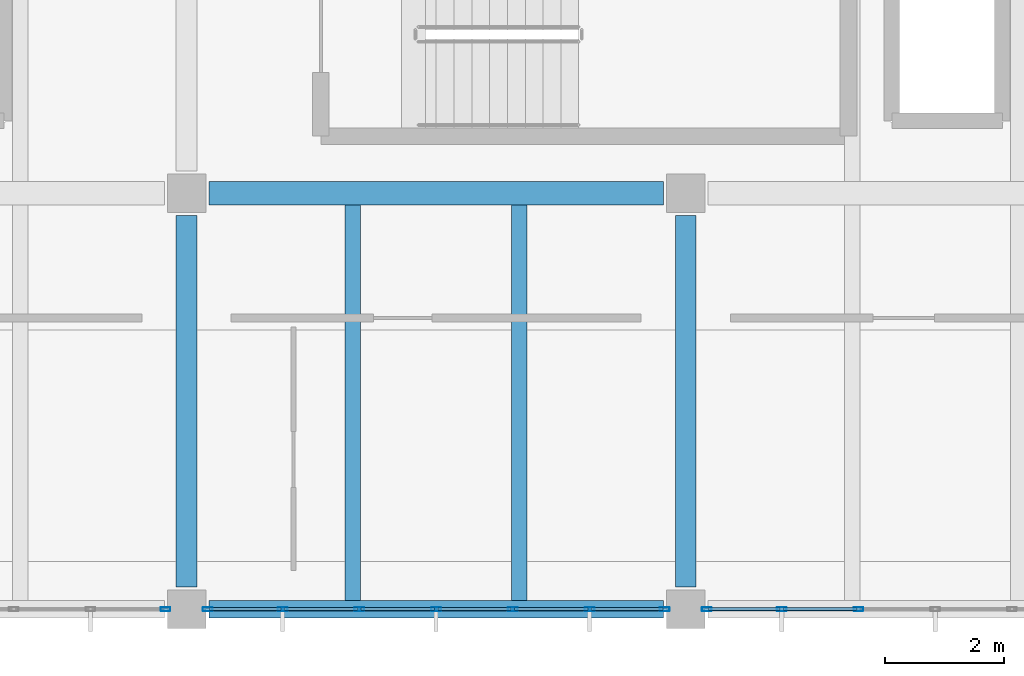
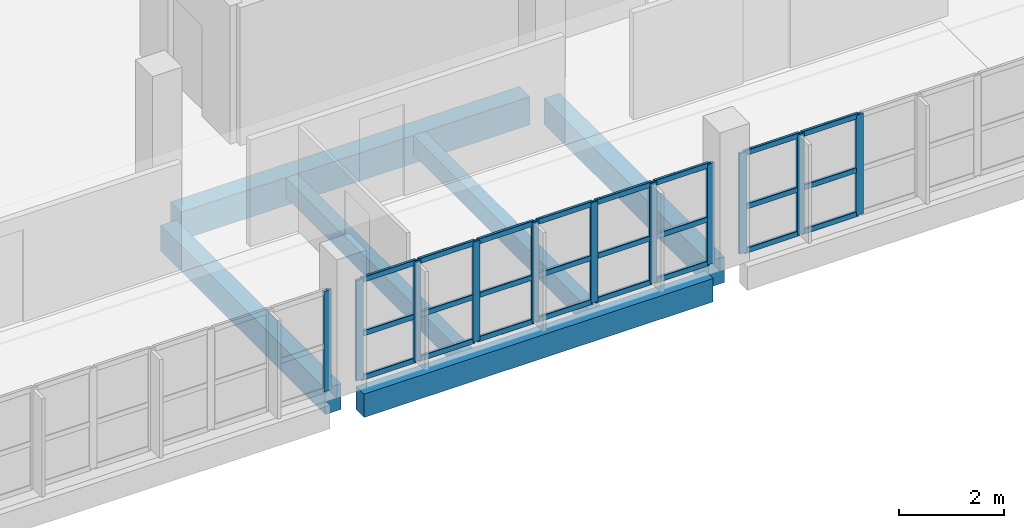
# One storey, part 6 of 33: 35 members, 6 beams, 3 elements without a shape of their own.
"""IFC4 building model written with IfcOpenShell, lengths in metres."""

from ifc_helpers import new_model, si_unit, direction, frame, origin, origin_2d, place, context, subcontext, project, spatial, rectangle, hollow_rectangle, extrude, material, layer, layer_set, material_profile, profile_set, type_object, element, aggregate, save


model = new_model("IFC4")

# Units and contexts
model_context = context("Model", 3, precision=1e-05, world=origin(), true_north=direction((0.0, 1.0)))
body_context = subcontext(model_context, "Body", "Model", "MODEL_VIEW")
ifc_project = project(units=[si_unit("LENGTHUNIT", "METRE"), si_unit("AREAUNIT", "SQUARE_METRE"), si_unit("VOLUMEUNIT", "CUBIC_METRE"), si_unit("PLANEANGLEUNIT", "RADIAN"), si_unit("MASSUNIT", "GRAM", prefix="KILO"), si_unit("THERMODYNAMICTEMPERATUREUNIT", "KELVIN"), si_unit("POWERUNIT", "WATT")], contexts=[model_context])

# Site, building, storey
site_placement = place(None, origin())
site = spatial("IfcSite", under=ifc_project, at=site_placement, CompositionType="ELEMENT")
building_placement = place(site_placement, origin())
building = spatial("IfcBuilding", under=site, at=building_placement, Name="Mavoryth Pier Ferry Terminal", CompositionType="ELEMENT")
storey_placement = place(building_placement, frame((0.0, 0.0, 13.1201171875)))
storey = spatial("IfcBuildingStorey", under=building, at=storey_placement, Name="L03", CompositionType="ELEMENT", Elevation=13.1201171875)

# Beams
ifc_material_1 = material(Name="Concrete C35/45", Category="concrete")
ifc_material_profile_1 = material_profile(ifc_material_1, rectangle(XDim=0.35009765625, YDim=0.60009765625, at=origin_2d()), Name="RC 350x600", Category="concrete")
ifc_profile_set_1 = profile_set([ifc_material_profile_1], Name="Concrete C35/45 - RC 350x600")
beam_type_1 = type_object("IfcBeamType", Name="Girder-RC-350x600", PredefinedType="BEAM", material=ifc_profile_set_1)
for number, where, z_axis, x_axis, name in (
    (1, (58.800048828125, 0.375, -0.56005859375), (0.0, 1.0, 0.0), (-1.0, 0.0, 0.0), "Beam B03-BG08-1263"),
    (2, (67.199951171875, 0.375, -0.56005859375), (0.0, 1.0, 0.0), (-1.0, 0.0, 0.0), "Beam B03-BG08-1266"),
):
    element("IfcBeam", number, at=place(storey_placement, frame(where, z_axis=z_axis, x_axis=x_axis)), inside=storey, type_object=beam_type_1, Name=name, PredefinedType="BEAM", context=body_context, shape_type="SweptSolid", body=[
        extrude(rectangle(XDim=0.35009765625, YDim=0.60009765625, at=origin_2d()), origin(), (0.0, 0.0, 1.0), 6.25),
    ])
ifc_material_profile_2 = material_profile(ifc_material_1, rectangle(XDim=0.39990234375, YDim=0.64990234375, at=origin_2d()), Name="RC 400x650", Category="concrete")
ifc_profile_set_2 = profile_set([ifc_material_profile_2], Name="Concrete C35/45 - RC 400x650")
beam_type_2 = type_object("IfcBeamType", Name="Girder-RC-400x650", PredefinedType="BEAM", material=ifc_profile_set_2)
beam_1_placement = place(storey_placement, frame((59.175048828125, 7.0, -0.585205078125), z_axis=(1.0, 0.0, 0.0), x_axis=(0.0, 1.0, 0.0)))
element("IfcBeam", 3, at=beam_1_placement, inside=storey, type_object=beam_type_2, Name="Beam B03-BG05-1241", PredefinedType="BEAM", context=body_context, shape_type="SweptSolid", body=[
    extrude(rectangle(XDim=0.39990234375, YDim=0.64990234375, at=origin_2d()), origin(), (0.0, 0.0, 1.0), 7.64990234375),
])
ifc_material_profile_3 = material_profile(ifc_material_1, rectangle(XDim=0.260009765625, YDim=0.449951171875, at=origin_2d()), Name="RC 260x450", Category="concrete")
ifc_profile_set_3 = profile_set([ifc_material_profile_3], Name="Concrete C35/45 - RC 260x450")
beam_type_3 = type_object("IfcBeamType", Name="Joist-RC-260x450", PredefinedType="JOIST", material=ifc_profile_set_3)
for number, where, z_axis, x_axis, name in (
    (4, (61.60009765625, 0.14990234375, -0.485107421875), (0.0, 1.0, 0.0), (-1.0, 0.0, 0.0), "Beam B03-BJ03-1288"),
    (5, (64.39990234375, 0.14990234375, -0.485107421875), (0.0, 1.0, 0.0), (-1.0, 0.0, 0.0), "Beam B03-BJ03-1289"),
):
    element("IfcBeam", number, at=place(storey_placement, frame(where, z_axis=z_axis, x_axis=x_axis)), inside=storey, type_object=beam_type_3, Name=name, PredefinedType="JOIST", context=body_context, shape_type="SweptSolid", body=[
        extrude(rectangle(XDim=0.260009765625, YDim=0.449951171875, at=origin_2d()), origin(), (0.0, 0.0, 1.0), 6.650146484375),
    ])

# Curtain wall, member
ifc_material_2 = material(Name="Anodised Aluminium and Solar-Control Low-E Glass", Category="aluminium")
ifc_layer = layer(ifc_material_2, 0.239990234375, Name="Anodised Aluminium and Solar-Control Low-E Glass", Category="aluminium")
ifc_layer_set = layer_set([ifc_layer], Name="Anodised Aluminium and Solar-Control Low-E Glass - CW-Operations-Mod1200")
curtain_wall_type = type_object("IfcCurtainWallType", Name="CW-Operations-Mod1200", PredefinedType="USERDEFINED", material=ifc_layer_set)
curtain_wall_1_placement = place(storey_placement, origin())
curtain_wall_1 = element("IfcCurtainWall", 6, at=curtain_wall_1_placement, inside=storey, type_object=curtain_wall_type, Name="Curtain Wall CW-0322-138", ObjectType="UNITISED CURTAIN WALL", PredefinedType="USERDEFINED")
ifc_material_3 = material(Name="Anodised Aluminium EN AW-6063", Category="aluminium")
ifc_material_profile_4 = material_profile(ifc_material_3, hollow_rectangle(XDim=0.06005859375, YDim=0.1650390625, WallThickness=0.00390625, InnerFilletRadius=0.00390625, OuterFilletRadius=0.008056640625, at=origin_2d()), Name="AL-MULL 165x60x4", Category="aluminium")
ifc_profile_set_4 = profile_set([ifc_material_profile_4], Name="Anodised Aluminium EN AW-6063 - AL-MULL 165x60x4")
member_type_1 = type_object("IfcMemberType", Name="Mullion-Alum-165x60", PredefinedType="MULLION", material=ifc_profile_set_4)
member_1_placement = place(storey_placement, frame((58.445068359375, 0.0, 0.0), z_axis=(0.0, 0.0, 1.0), x_axis=(0.0, 1.0, 0.0)))
member_1 = element("IfcMember", 7, at=member_1_placement, type_object=member_type_1, Name="CW06 mullion 7", PredefinedType="MULLION", context=body_context, shape_type="SweptSolid", body=[
    extrude(hollow_rectangle(XDim=0.06005859375, YDim=0.1650390625, WallThickness=0.00390625, InnerFilletRadius=0.00390625, OuterFilletRadius=0.008056640625, at=origin_2d()), origin(), (0.0, 0.0, 1.0), 2.324951171875),
])
aggregate(curtain_wall_1, [member_1])

# Curtain wall, members
curtain_wall_2_placement = place(storey_placement, origin())
curtain_wall_2 = element("IfcCurtainWall", 8, at=curtain_wall_2_placement, inside=storey, type_object=curtain_wall_type, Name="Curtain Wall CW-0322-140", ObjectType="UNITISED CURTAIN WALL", PredefinedType="USERDEFINED")
member_2_placement = place(storey_placement, frame((59.155029296875, 0.0, 0.0), z_axis=(0.0, 0.0, 1.0), x_axis=(0.0, 1.0, 0.0)))
member_2 = element("IfcMember", 9, at=member_2_placement, type_object=member_type_1, Name="CW06 mullion 1", PredefinedType="MULLION", context=body_context, shape_type="SweptSolid", body=[
    extrude(hollow_rectangle(XDim=0.06005859375, YDim=0.1650390625, WallThickness=0.00390625, InnerFilletRadius=0.00390625, OuterFilletRadius=0.008056640625, at=origin_2d()), origin(), (0.0, 0.0, 1.0), 2.324951171875),
])
member_3_placement = place(storey_placement, frame((60.416748046875, 0.0, 0.0), z_axis=(0.0, 0.0, 1.0), x_axis=(0.0, 1.0, 0.0)))
member_3 = element("IfcMember", 10, at=member_3_placement, type_object=member_type_1, Name="CW06 mullion 2", PredefinedType="MULLION", context=body_context, shape_type="SweptSolid", body=[
    extrude(hollow_rectangle(XDim=0.06005859375, YDim=0.1650390625, WallThickness=0.00390625, InnerFilletRadius=0.00390625, OuterFilletRadius=0.008056640625, at=origin_2d()), origin(), (0.0, 0.0, 1.0), 2.324951171875),
])
member_4_placement = place(storey_placement, frame((61.708251953125, 0.0, 0.0), z_axis=(0.0, 0.0, 1.0), x_axis=(0.0, 1.0, 0.0)))
member_4 = element("IfcMember", 11, at=member_4_placement, type_object=member_type_1, Name="CW06 mullion 3", PredefinedType="MULLION", context=body_context, shape_type="SweptSolid", body=[
    extrude(hollow_rectangle(XDim=0.06005859375, YDim=0.1650390625, WallThickness=0.00390625, InnerFilletRadius=0.00390625, OuterFilletRadius=0.008056640625, at=origin_2d()), origin(), (0.0, 0.0, 1.0), 2.324951171875),
])
member_5_placement = place(storey_placement, frame((63.0, 0.0, 0.0), z_axis=(0.0, 0.0, 1.0), x_axis=(0.0, 1.0, 0.0)))
member_5 = element("IfcMember", 12, at=member_5_placement, type_object=member_type_1, Name="CW06 mullion 4", PredefinedType="MULLION", context=body_context, shape_type="SweptSolid", body=[
    extrude(hollow_rectangle(XDim=0.06005859375, YDim=0.1650390625, WallThickness=0.00390625, InnerFilletRadius=0.00390625, OuterFilletRadius=0.008056640625, at=origin_2d()), origin(), (0.0, 0.0, 1.0), 2.324951171875),
])
member_6_placement = place(storey_placement, frame((64.291748046875, 0.0, 0.0), z_axis=(0.0, 0.0, 1.0), x_axis=(0.0, 1.0, 0.0)))
member_6 = element("IfcMember", 13, at=member_6_placement, type_object=member_type_1, Name="CW06 mullion 5", PredefinedType="MULLION", context=body_context, shape_type="SweptSolid", body=[
    extrude(hollow_rectangle(XDim=0.06005859375, YDim=0.1650390625, WallThickness=0.00390625, InnerFilletRadius=0.00390625, OuterFilletRadius=0.008056640625, at=origin_2d()), origin(), (0.0, 0.0, 1.0), 2.324951171875),
])
member_7_placement = place(storey_placement, frame((65.583251953125, 0.0, 0.0), z_axis=(0.0, 0.0, 1.0), x_axis=(0.0, 1.0, 0.0)))
member_7 = element("IfcMember", 14, at=member_7_placement, type_object=member_type_1, Name="CW06 mullion 6", PredefinedType="MULLION", context=body_context, shape_type="SweptSolid", body=[
    extrude(hollow_rectangle(XDim=0.06005859375, YDim=0.1650390625, WallThickness=0.00390625, InnerFilletRadius=0.00390625, OuterFilletRadius=0.008056640625, at=origin_2d()), origin(), (0.0, 0.0, 1.0), 2.324951171875),
])
member_8_placement = place(storey_placement, frame((66.844970703125, 0.0, 0.0), z_axis=(0.0, 0.0, 1.0), x_axis=(0.0, 1.0, 0.0)))
member_8 = element("IfcMember", 15, at=member_8_placement, type_object=member_type_1, Name="CW06 mullion 7", PredefinedType="MULLION", context=body_context, shape_type="SweptSolid", body=[
    extrude(hollow_rectangle(XDim=0.06005859375, YDim=0.1650390625, WallThickness=0.00390625, InnerFilletRadius=0.00390625, OuterFilletRadius=0.008056640625, at=origin_2d()), origin(), (0.0, 0.0, 1.0), 2.324951171875),
])

curtain_wall_3_placement = place(storey_placement, origin())
curtain_wall_3 = element("IfcCurtainWall", 16, at=curtain_wall_3_placement, inside=storey, type_object=curtain_wall_type, Name="Curtain Wall CW-0322-142", ObjectType="UNITISED CURTAIN WALL", PredefinedType="USERDEFINED")
member_9_placement = place(storey_placement, frame((67.554931640625, 0.0, 0.0), z_axis=(0.0, 0.0, 1.0), x_axis=(0.0, 1.0, 0.0)))
member_9 = element("IfcMember", 17, at=member_9_placement, type_object=member_type_1, Name="CW06 mullion 1", PredefinedType="MULLION", context=body_context, shape_type="SweptSolid", body=[
    extrude(hollow_rectangle(XDim=0.06005859375, YDim=0.1650390625, WallThickness=0.00390625, InnerFilletRadius=0.00390625, OuterFilletRadius=0.008056640625, at=origin_2d()), origin(), (0.0, 0.0, 1.0), 2.324951171875),
])
member_10_placement = place(storey_placement, frame((68.816650390625, 0.0, 0.0), z_axis=(0.0, 0.0, 1.0), x_axis=(0.0, 1.0, 0.0)))
member_10 = element("IfcMember", 18, at=member_10_placement, type_object=member_type_1, Name="CW06 mullion 2", PredefinedType="MULLION", context=body_context, shape_type="SweptSolid", body=[
    extrude(hollow_rectangle(XDim=0.06005859375, YDim=0.1650390625, WallThickness=0.00390625, InnerFilletRadius=0.00390625, OuterFilletRadius=0.008056640625, at=origin_2d()), origin(), (0.0, 0.0, 1.0), 2.324951171875),
])
member_11_placement = place(storey_placement, frame((70.1083984375, 0.0, 0.0), z_axis=(0.0, 0.0, 1.0), x_axis=(0.0, 1.0, 0.0)))
member_11 = element("IfcMember", 19, at=member_11_placement, type_object=member_type_1, Name="CW06 mullion 3", PredefinedType="MULLION", context=body_context, shape_type="SweptSolid", body=[
    extrude(hollow_rectangle(XDim=0.06005859375, YDim=0.1650390625, WallThickness=0.00390625, InnerFilletRadius=0.00390625, OuterFilletRadius=0.008056640625, at=origin_2d()), origin(), (0.0, 0.0, 1.0), 2.324951171875),
])

# Beam
ifc_material_profile_5 = material_profile(ifc_material_1, rectangle(XDim=0.300048828125, YDim=0.5400390625, at=origin_2d()), Name="RC 300x540", Category="concrete")
ifc_profile_set_5 = profile_set([ifc_material_profile_5], Name="Concrete C35/45 - RC 300x540")
beam_type_4 = type_object("IfcBeamType", Name="Spandrel-RC-300x540", PredefinedType="SPANDREL", material=ifc_profile_set_5)
beam_2_placement = place(storey_placement, frame((59.175048828125, 0.0, -0.530029296875), z_axis=(1.0, 0.0, 0.0), x_axis=(0.0, 1.0, 0.0)))
element("IfcBeam", 20, at=beam_2_placement, inside=storey, type_object=beam_type_4, Name="Beam B03-SP02-1235", PredefinedType="SPANDREL", context=body_context, shape_type="SweptSolid", body=[
    extrude(rectangle(XDim=0.300048828125, YDim=0.5400390625, at=origin_2d()), origin(), (0.0, 0.0, 1.0), 7.64990234375),
])

# Member
ifc_material_profile_6 = material_profile(ifc_material_3, hollow_rectangle(XDim=0.06005859375, YDim=0.125, WallThickness=0.00390625, InnerFilletRadius=0.00390625, OuterFilletRadius=0.008056640625, at=origin_2d()), Name="AL-TRAN 125x60x4", Category="aluminium")
ifc_profile_set_6 = profile_set([ifc_material_profile_6], Name="Anodised Aluminium EN AW-6063 - AL-TRAN 125x60x4")
member_type_2 = type_object("IfcMemberType", Name="Transom-Alum-125x60", PredefinedType="USERDEFINED", material=ifc_profile_set_6)
member_12_placement = place(storey_placement, frame((59.18505859375, 0.0, 0.02978515625), z_axis=(1.0, 0.0, 0.0), x_axis=(0.0, 1.0, 0.0)))
member_12 = element("IfcMember", 21, at=member_12_placement, type_object=member_type_2, Name="CW06 transom 1.1", ObjectType="TRANSOM", PredefinedType="USERDEFINED", context=body_context, shape_type="SweptSolid", body=[
    extrude(hollow_rectangle(XDim=0.06005859375, YDim=0.125, WallThickness=0.00390625, InnerFilletRadius=0.00390625, OuterFilletRadius=0.008056640625, at=origin_2d()), origin(), (0.0, 0.0, 1.0), 1.20166015625),
])

member_13_placement = place(storey_placement, frame((59.18505859375, 0.0, 1.0498046875), z_axis=(1.0, 0.0, 0.0), x_axis=(0.0, 1.0, 0.0)))
member_13 = element("IfcMember", 22, at=member_13_placement, type_object=member_type_2, Name="CW06 transom 1.2", ObjectType="TRANSOM", PredefinedType="USERDEFINED", context=body_context, shape_type="SweptSolid", body=[
    extrude(hollow_rectangle(XDim=0.06005859375, YDim=0.125, WallThickness=0.00390625, InnerFilletRadius=0.00390625, OuterFilletRadius=0.008056640625, at=origin_2d()), origin(), (0.0, 0.0, 1.0), 1.20166015625),
])

member_14_placement = place(storey_placement, frame((59.18505859375, 0.0, 2.294921875), z_axis=(1.0, 0.0, 0.0), x_axis=(0.0, 1.0, 0.0)))
member_14 = element("IfcMember", 23, at=member_14_placement, type_object=member_type_2, Name="CW06 transom 1.3", ObjectType="TRANSOM", PredefinedType="USERDEFINED", context=body_context, shape_type="SweptSolid", body=[
    extrude(hollow_rectangle(XDim=0.06005859375, YDim=0.125, WallThickness=0.00390625, InnerFilletRadius=0.00390625, OuterFilletRadius=0.008056640625, at=origin_2d()), origin(), (0.0, 0.0, 1.0), 1.20166015625),
])

member_15_placement = place(storey_placement, frame((60.44677734375, 0.0, 0.02978515625), z_axis=(1.0, 0.0, 0.0), x_axis=(0.0, 1.0, 0.0)))
member_15 = element("IfcMember", 24, at=member_15_placement, type_object=member_type_2, Name="CW06 transom 2.1", ObjectType="TRANSOM", PredefinedType="USERDEFINED", context=body_context, shape_type="SweptSolid", body=[
    extrude(hollow_rectangle(XDim=0.06005859375, YDim=0.125, WallThickness=0.00390625, InnerFilletRadius=0.00390625, OuterFilletRadius=0.008056640625, at=origin_2d()), origin(), (0.0, 0.0, 1.0), 1.2314453125),
])

member_16_placement = place(storey_placement, frame((60.44677734375, 0.0, 1.0498046875), z_axis=(1.0, 0.0, 0.0), x_axis=(0.0, 1.0, 0.0)))
member_16 = element("IfcMember", 25, at=member_16_placement, type_object=member_type_2, Name="CW06 transom 2.2", ObjectType="TRANSOM", PredefinedType="USERDEFINED", context=body_context, shape_type="SweptSolid", body=[
    extrude(hollow_rectangle(XDim=0.06005859375, YDim=0.125, WallThickness=0.00390625, InnerFilletRadius=0.00390625, OuterFilletRadius=0.008056640625, at=origin_2d()), origin(), (0.0, 0.0, 1.0), 1.2314453125),
])

member_17_placement = place(storey_placement, frame((60.44677734375, 0.0, 2.294921875), z_axis=(1.0, 0.0, 0.0), x_axis=(0.0, 1.0, 0.0)))
member_17 = element("IfcMember", 26, at=member_17_placement, type_object=member_type_2, Name="CW06 transom 2.3", ObjectType="TRANSOM", PredefinedType="USERDEFINED", context=body_context, shape_type="SweptSolid", body=[
    extrude(hollow_rectangle(XDim=0.06005859375, YDim=0.125, WallThickness=0.00390625, InnerFilletRadius=0.00390625, OuterFilletRadius=0.008056640625, at=origin_2d()), origin(), (0.0, 0.0, 1.0), 1.2314453125),
])

member_18_placement = place(storey_placement, frame((61.73828125, 0.0, 0.02978515625), z_axis=(1.0, 0.0, 0.0), x_axis=(0.0, 1.0, 0.0)))
member_18 = element("IfcMember", 27, at=member_18_placement, type_object=member_type_2, Name="CW06 transom 3.1", ObjectType="TRANSOM", PredefinedType="USERDEFINED", context=body_context, shape_type="SweptSolid", body=[
    extrude(hollow_rectangle(XDim=0.06005859375, YDim=0.125, WallThickness=0.00390625, InnerFilletRadius=0.00390625, OuterFilletRadius=0.008056640625, at=origin_2d()), origin(), (0.0, 0.0, 1.0), 1.231689453125),
])

member_19_placement = place(storey_placement, frame((61.73828125, 0.0, 1.0498046875), z_axis=(1.0, 0.0, 0.0), x_axis=(0.0, 1.0, 0.0)))
member_19 = element("IfcMember", 28, at=member_19_placement, type_object=member_type_2, Name="CW06 transom 3.2", ObjectType="TRANSOM", PredefinedType="USERDEFINED", context=body_context, shape_type="SweptSolid", body=[
    extrude(hollow_rectangle(XDim=0.06005859375, YDim=0.125, WallThickness=0.00390625, InnerFilletRadius=0.00390625, OuterFilletRadius=0.008056640625, at=origin_2d()), origin(), (0.0, 0.0, 1.0), 1.231689453125),
])

member_20_placement = place(storey_placement, frame((61.73828125, 0.0, 2.294921875), z_axis=(1.0, 0.0, 0.0), x_axis=(0.0, 1.0, 0.0)))
member_20 = element("IfcMember", 29, at=member_20_placement, type_object=member_type_2, Name="CW06 transom 3.3", ObjectType="TRANSOM", PredefinedType="USERDEFINED", context=body_context, shape_type="SweptSolid", body=[
    extrude(hollow_rectangle(XDim=0.06005859375, YDim=0.125, WallThickness=0.00390625, InnerFilletRadius=0.00390625, OuterFilletRadius=0.008056640625, at=origin_2d()), origin(), (0.0, 0.0, 1.0), 1.231689453125),
])

member_21_placement = place(storey_placement, frame((63.030029296875, 0.0, 0.02978515625), z_axis=(1.0, 0.0, 0.0), x_axis=(0.0, 1.0, 0.0)))
member_21 = element("IfcMember", 30, at=member_21_placement, type_object=member_type_2, Name="CW06 transom 4.1", ObjectType="TRANSOM", PredefinedType="USERDEFINED", context=body_context, shape_type="SweptSolid", body=[
    extrude(hollow_rectangle(XDim=0.06005859375, YDim=0.125, WallThickness=0.00390625, InnerFilletRadius=0.00390625, OuterFilletRadius=0.008056640625, at=origin_2d()), origin(), (0.0, 0.0, 1.0), 1.231689453125),
])

member_22_placement = place(storey_placement, frame((63.030029296875, 0.0, 1.0498046875), z_axis=(1.0, 0.0, 0.0), x_axis=(0.0, 1.0, 0.0)))
member_22 = element("IfcMember", 31, at=member_22_placement, type_object=member_type_2, Name="CW06 transom 4.2", ObjectType="TRANSOM", PredefinedType="USERDEFINED", context=body_context, shape_type="SweptSolid", body=[
    extrude(hollow_rectangle(XDim=0.06005859375, YDim=0.125, WallThickness=0.00390625, InnerFilletRadius=0.00390625, OuterFilletRadius=0.008056640625, at=origin_2d()), origin(), (0.0, 0.0, 1.0), 1.231689453125),
])

member_23_placement = place(storey_placement, frame((63.030029296875, 0.0, 2.294921875), z_axis=(1.0, 0.0, 0.0), x_axis=(0.0, 1.0, 0.0)))
member_23 = element("IfcMember", 32, at=member_23_placement, type_object=member_type_2, Name="CW06 transom 4.3", ObjectType="TRANSOM", PredefinedType="USERDEFINED", context=body_context, shape_type="SweptSolid", body=[
    extrude(hollow_rectangle(XDim=0.06005859375, YDim=0.125, WallThickness=0.00390625, InnerFilletRadius=0.00390625, OuterFilletRadius=0.008056640625, at=origin_2d()), origin(), (0.0, 0.0, 1.0), 1.231689453125),
])

member_24_placement = place(storey_placement, frame((64.32177734375, 0.0, 0.02978515625), z_axis=(1.0, 0.0, 0.0), x_axis=(0.0, 1.0, 0.0)))
member_24 = element("IfcMember", 33, at=member_24_placement, type_object=member_type_2, Name="CW06 transom 5.1", ObjectType="TRANSOM", PredefinedType="USERDEFINED", context=body_context, shape_type="SweptSolid", body=[
    extrude(hollow_rectangle(XDim=0.06005859375, YDim=0.125, WallThickness=0.00390625, InnerFilletRadius=0.00390625, OuterFilletRadius=0.008056640625, at=origin_2d()), origin(), (0.0, 0.0, 1.0), 1.2314453125),
])

member_25_placement = place(storey_placement, frame((64.32177734375, 0.0, 1.0498046875), z_axis=(1.0, 0.0, 0.0), x_axis=(0.0, 1.0, 0.0)))
member_25 = element("IfcMember", 34, at=member_25_placement, type_object=member_type_2, Name="CW06 transom 5.2", ObjectType="TRANSOM", PredefinedType="USERDEFINED", context=body_context, shape_type="SweptSolid", body=[
    extrude(hollow_rectangle(XDim=0.06005859375, YDim=0.125, WallThickness=0.00390625, InnerFilletRadius=0.00390625, OuterFilletRadius=0.008056640625, at=origin_2d()), origin(), (0.0, 0.0, 1.0), 1.2314453125),
])

member_26_placement = place(storey_placement, frame((64.32177734375, 0.0, 2.294921875), z_axis=(1.0, 0.0, 0.0), x_axis=(0.0, 1.0, 0.0)))
member_26 = element("IfcMember", 35, at=member_26_placement, type_object=member_type_2, Name="CW06 transom 5.3", ObjectType="TRANSOM", PredefinedType="USERDEFINED", context=body_context, shape_type="SweptSolid", body=[
    extrude(hollow_rectangle(XDim=0.06005859375, YDim=0.125, WallThickness=0.00390625, InnerFilletRadius=0.00390625, OuterFilletRadius=0.008056640625, at=origin_2d()), origin(), (0.0, 0.0, 1.0), 1.2314453125),
])

member_27_placement = place(storey_placement, frame((65.61328125, 0.0, 0.02978515625), z_axis=(1.0, 0.0, 0.0), x_axis=(0.0, 1.0, 0.0)))
member_27 = element("IfcMember", 36, at=member_27_placement, type_object=member_type_2, Name="CW06 transom 6.1", ObjectType="TRANSOM", PredefinedType="USERDEFINED", context=body_context, shape_type="SweptSolid", body=[
    extrude(hollow_rectangle(XDim=0.06005859375, YDim=0.125, WallThickness=0.00390625, InnerFilletRadius=0.00390625, OuterFilletRadius=0.008056640625, at=origin_2d()), origin(), (0.0, 0.0, 1.0), 1.20166015625),
])

member_28_placement = place(storey_placement, frame((65.61328125, 0.0, 1.0498046875), z_axis=(1.0, 0.0, 0.0), x_axis=(0.0, 1.0, 0.0)))
member_28 = element("IfcMember", 37, at=member_28_placement, type_object=member_type_2, Name="CW06 transom 6.2", ObjectType="TRANSOM", PredefinedType="USERDEFINED", context=body_context, shape_type="SweptSolid", body=[
    extrude(hollow_rectangle(XDim=0.06005859375, YDim=0.125, WallThickness=0.00390625, InnerFilletRadius=0.00390625, OuterFilletRadius=0.008056640625, at=origin_2d()), origin(), (0.0, 0.0, 1.0), 1.20166015625),
])

member_29_placement = place(storey_placement, frame((65.61328125, 0.0, 2.294921875), z_axis=(1.0, 0.0, 0.0), x_axis=(0.0, 1.0, 0.0)))
member_29 = element("IfcMember", 38, at=member_29_placement, type_object=member_type_2, Name="CW06 transom 6.3", ObjectType="TRANSOM", PredefinedType="USERDEFINED", context=body_context, shape_type="SweptSolid", body=[
    extrude(hollow_rectangle(XDim=0.06005859375, YDim=0.125, WallThickness=0.00390625, InnerFilletRadius=0.00390625, OuterFilletRadius=0.008056640625, at=origin_2d()), origin(), (0.0, 0.0, 1.0), 1.20166015625),
])

aggregate(curtain_wall_2, [member_2, member_3, member_4, member_5, member_6, member_7, member_8, member_12, member_13, member_14, member_15, member_16, member_17, member_18, member_19, member_20, member_21, member_22, member_23, member_24, member_25, member_26, member_27, member_28, member_29])

member_30_placement = place(storey_placement, frame((67.5849609375, 0.0, 0.02978515625), z_axis=(1.0, 0.0, 0.0), x_axis=(0.0, 1.0, 0.0)))
member_30 = element("IfcMember", 39, at=member_30_placement, type_object=member_type_2, Name="CW06 transom 1.1", ObjectType="TRANSOM", PredefinedType="USERDEFINED", context=body_context, shape_type="SweptSolid", body=[
    extrude(hollow_rectangle(XDim=0.06005859375, YDim=0.125, WallThickness=0.00390625, InnerFilletRadius=0.00390625, OuterFilletRadius=0.008056640625, at=origin_2d()), origin(), (0.0, 0.0, 1.0), 1.20166015625),
])

member_31_placement = place(storey_placement, frame((67.5849609375, 0.0, 1.0498046875), z_axis=(1.0, 0.0, 0.0), x_axis=(0.0, 1.0, 0.0)))
member_31 = element("IfcMember", 40, at=member_31_placement, type_object=member_type_2, Name="CW06 transom 1.2", ObjectType="TRANSOM", PredefinedType="USERDEFINED", context=body_context, shape_type="SweptSolid", body=[
    extrude(hollow_rectangle(XDim=0.06005859375, YDim=0.125, WallThickness=0.00390625, InnerFilletRadius=0.00390625, OuterFilletRadius=0.008056640625, at=origin_2d()), origin(), (0.0, 0.0, 1.0), 1.20166015625),
])

member_32_placement = place(storey_placement, frame((67.5849609375, 0.0, 2.294921875), z_axis=(1.0, 0.0, 0.0), x_axis=(0.0, 1.0, 0.0)))
member_32 = element("IfcMember", 41, at=member_32_placement, type_object=member_type_2, Name="CW06 transom 1.3", ObjectType="TRANSOM", PredefinedType="USERDEFINED", context=body_context, shape_type="SweptSolid", body=[
    extrude(hollow_rectangle(XDim=0.06005859375, YDim=0.125, WallThickness=0.00390625, InnerFilletRadius=0.00390625, OuterFilletRadius=0.008056640625, at=origin_2d()), origin(), (0.0, 0.0, 1.0), 1.20166015625),
])

member_33_placement = place(storey_placement, frame((68.8466796875, 0.0, 0.02978515625), z_axis=(1.0, 0.0, 0.0), x_axis=(0.0, 1.0, 0.0)))
member_33 = element("IfcMember", 42, at=member_33_placement, type_object=member_type_2, Name="CW06 transom 2.1", ObjectType="TRANSOM", PredefinedType="USERDEFINED", context=body_context, shape_type="SweptSolid", body=[
    extrude(hollow_rectangle(XDim=0.06005859375, YDim=0.125, WallThickness=0.00390625, InnerFilletRadius=0.00390625, OuterFilletRadius=0.008056640625, at=origin_2d()), origin(), (0.0, 0.0, 1.0), 1.231689453125),
])

member_34_placement = place(storey_placement, frame((68.8466796875, 0.0, 1.0498046875), z_axis=(1.0, 0.0, 0.0), x_axis=(0.0, 1.0, 0.0)))
member_34 = element("IfcMember", 43, at=member_34_placement, type_object=member_type_2, Name="CW06 transom 2.2", ObjectType="TRANSOM", PredefinedType="USERDEFINED", context=body_context, shape_type="SweptSolid", body=[
    extrude(hollow_rectangle(XDim=0.06005859375, YDim=0.125, WallThickness=0.00390625, InnerFilletRadius=0.00390625, OuterFilletRadius=0.008056640625, at=origin_2d()), origin(), (0.0, 0.0, 1.0), 1.231689453125),
])

member_35_placement = place(storey_placement, frame((68.8466796875, 0.0, 2.294921875), z_axis=(1.0, 0.0, 0.0), x_axis=(0.0, 1.0, 0.0)))
member_35 = element("IfcMember", 44, at=member_35_placement, type_object=member_type_2, Name="CW06 transom 2.3", ObjectType="TRANSOM", PredefinedType="USERDEFINED", context=body_context, shape_type="SweptSolid", body=[
    extrude(hollow_rectangle(XDim=0.06005859375, YDim=0.125, WallThickness=0.00390625, InnerFilletRadius=0.00390625, OuterFilletRadius=0.008056640625, at=origin_2d()), origin(), (0.0, 0.0, 1.0), 1.231689453125),
])

aggregate(curtain_wall_3, [member_9, member_10, member_11, member_30, member_31, member_32, member_33, member_34, member_35])

save(model, "model.ifc")
